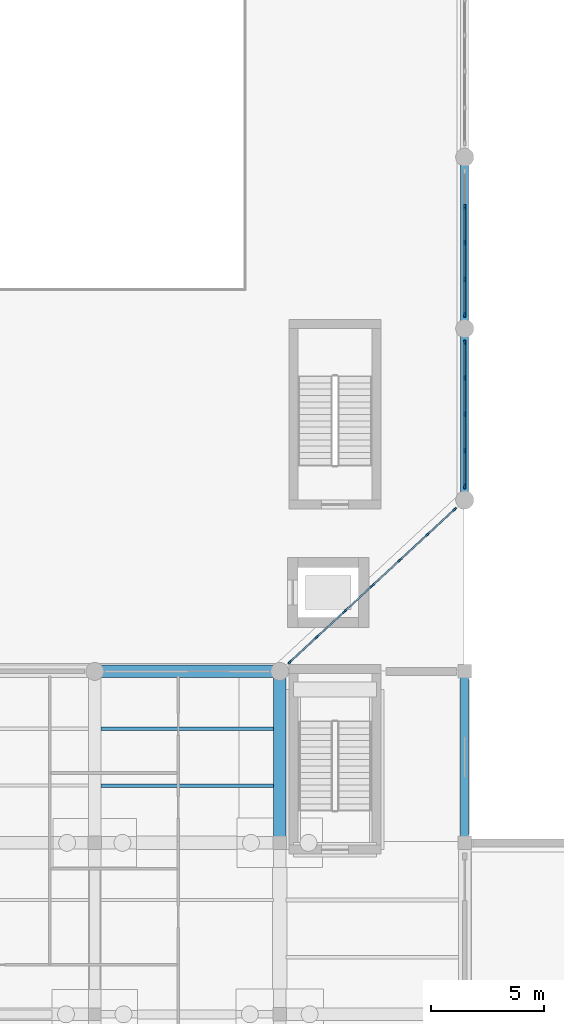
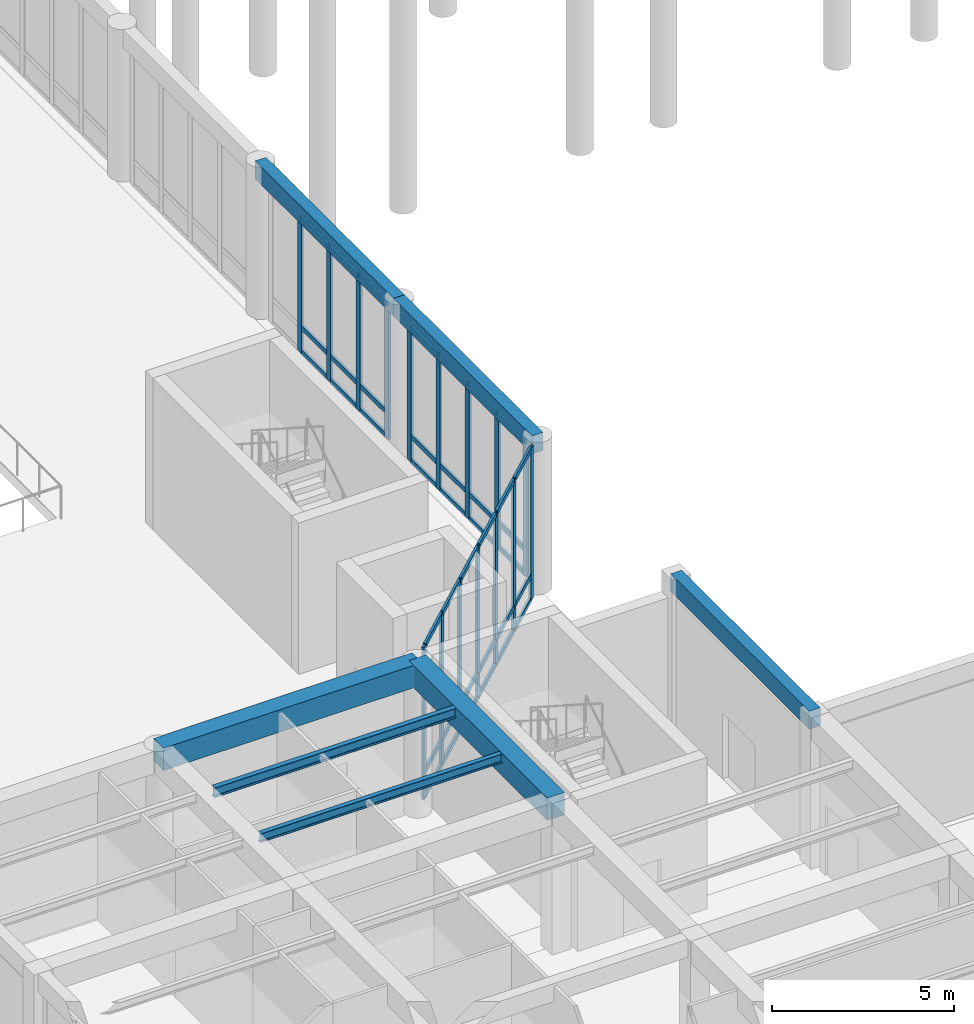
# One storey, part 16 of 64: 55 members, 7 beams, 3 elements without a shape of their own.
"""IFC4 building model written with IfcOpenShell, lengths in metres."""

from ifc_helpers import new_model, si_unit, direction, frame, origin, origin_2d, place, context, subcontext, project, spatial, rectangle, i_section, extrude, material, material_profile, profile_set, type_object, element, aggregate, save


model = new_model("IFC4")

# Units and contexts
model_context = context("Model", 3, precision=1e-05, world=origin(), true_north=direction((0.0, 1.0)))
body_context = subcontext(model_context, "Body", "Model", "MODEL_VIEW")
ifc_project = project(units=[si_unit("LENGTHUNIT", "METRE"), si_unit("AREAUNIT", "SQUARE_METRE"), si_unit("VOLUMEUNIT", "CUBIC_METRE"), si_unit("PLANEANGLEUNIT", "RADIAN"), si_unit("MASSUNIT", "GRAM", prefix="KILO")], contexts=[model_context])

# Site, building, storey
site_placement = place(None, origin())
site = spatial("IfcSite", under=ifc_project, at=site_placement, CompositionType="ELEMENT")
building_placement = place(site_placement, origin())
building = spatial("IfcBuilding", under=site, at=building_placement, Name="Qandaris Square Conservatory and Botanical Centre", CompositionType="ELEMENT")
storey_placement = place(building_placement, origin())
storey = spatial("IfcBuildingStorey", under=building, at=storey_placement, Name="L00", CompositionType="ELEMENT", Elevation=0.0)

# Beams
ifc_material_1 = material(Name="Steel S355", Category="steel")
ifc_material_profile_1 = material_profile(ifc_material_1, i_section(OverallWidth=0.14990234375, OverallDepth=0.300048828125, WebThickness=0.007080078125, FlangeThickness=0.0107421875, FilletRadius=0.014892578125, at=origin_2d()), Name="IPE 300")
ifc_profile_set_1 = profile_set([ifc_material_profile_1], Name="Steel S355")
beam_type_1 = type_object("IfcBeamType", Name="Composite Lab Joist IPE 300", PredefinedType="JOIST", material=ifc_profile_set_1)
beam_1_placement = place(storey_placement, frame((41.074951171875, 41.933349609375, 4.93994140625), z_axis=(1.0, 0.0, 0.0), x_axis=(0.0, 1.0, 0.0)))
element("IfcBeam", 1, at=beam_1_placement, inside=storey, type_object=beam_type_1, Name="L00 Composite Joist 0709", PredefinedType="JOIST", context=body_context, shape_type="SweptSolid", body=[
    extrude(i_section(OverallWidth=0.14990234375, OverallDepth=0.300048828125, WebThickness=0.007080078125, FlangeThickness=0.0107421875, FilletRadius=0.014892578125, at=origin_2d()), origin(), (0.0, 0.0, 1.0), 7.650146484375),
])
ifc_material_profile_2 = material_profile(ifc_material_1, i_section(OverallWidth=0.159912109375, OverallDepth=0.330078125, WebThickness=0.007568359375, FlangeThickness=0.011474609375, FilletRadius=0.01806640625, at=origin_2d()), Name="IPE 330")
ifc_profile_set_2 = profile_set([ifc_material_profile_2], Name="Steel S355")
beam_type_2 = type_object("IfcBeamType", Name="Composite Lab Joist IPE 330", PredefinedType="JOIST", material=ifc_profile_set_2)
beam_2_placement = place(storey_placement, frame((41.074951171875, 44.466796875, 4.925048828125), z_axis=(1.0, 0.0, 0.0), x_axis=(0.0, 1.0, 0.0)))
element("IfcBeam", 2, at=beam_2_placement, inside=storey, type_object=beam_type_2, Name="L00 Composite Joist 0710", PredefinedType="JOIST", context=body_context, shape_type="SweptSolid", body=[
    extrude(i_section(OverallWidth=0.159912109375, OverallDepth=0.330078125, WebThickness=0.007568359375, FlangeThickness=0.011474609375, FilletRadius=0.01806640625, at=origin_2d()), origin(), (0.0, 0.0, 1.0), 7.650146484375),
])

# Curtain wall, members
ifc_material_2 = material(Name="Anodised Aluminium", Category="aluminium")
curtain_wall_type_1 = type_object("IfcCurtainWallType", Name="Unitised Curtain Wall CW-1-1002x510", PredefinedType="USERDEFINED", material=ifc_material_2)
curtain_wall_1_placement = place(storey_placement, origin())
curtain_wall_1 = element("IfcCurtainWall", 3, at=curtain_wall_1_placement, inside=storey, type_object=curtain_wall_type_1, Name="Curtain Wall CW-CON-L00-2-1", ObjectType="GLAZED CURTAIN WALL", PredefinedType="USERDEFINED")
ifc_material_profile_3 = material_profile(ifc_material_2, rectangle(XDim=0.074951171875, YDim=0.219970703125, at=origin_2d()), Name="ALU-MUL 75x220")
ifc_profile_set_3 = profile_set([ifc_material_profile_3], Name="Anodised Aluminium")
member_type_1 = type_object("IfcMemberType", Name="Conservatory Heavy Mullion 75x220", PredefinedType="MULLION", material=ifc_profile_set_3)
member_1_placement = place(storey_placement, frame((49.452880859375, 47.419677734375, 0.0), z_axis=(0.0, 0.0, 1.0), x_axis=(-0.679761784592, 0.733432966404, 0.0)))
member_1 = element("IfcMember", 4, at=member_1_placement, type_object=member_type_1, Name="CW-1-1002x510 mullion 1", PredefinedType="MULLION", context=body_context, shape_type="SweptSolid", body=[
    extrude(rectangle(XDim=0.074951171875, YDim=0.219970703125, at=origin_2d()), origin(), (0.0, 0.0, 1.0), 5.10009765625),
])
member_2_placement = place(storey_placement, frame((50.650146484375, 48.529541015625, 0.0), z_axis=(0.0, 0.0, 1.0), x_axis=(-0.679761784592, 0.733432966404, 0.0)))
member_2 = element("IfcMember", 5, at=member_2_placement, type_object=member_type_1, Name="CW-1-1002x510 mullion 2", PredefinedType="MULLION", context=body_context, shape_type="SweptSolid", body=[
    extrude(rectangle(XDim=0.074951171875, YDim=0.219970703125, at=origin_2d()), origin(), (0.0, 0.0, 1.0), 5.10009765625),
])
member_3_placement = place(storey_placement, frame((51.875244140625, 49.664794921875, 0.0), z_axis=(0.0, 0.0, 1.0), x_axis=(-0.679761784592, 0.733432966404, 0.0)))
member_3 = element("IfcMember", 6, at=member_3_placement, type_object=member_type_1, Name="CW-1-1002x510 mullion 3", PredefinedType="MULLION", context=body_context, shape_type="SweptSolid", body=[
    extrude(rectangle(XDim=0.074951171875, YDim=0.219970703125, at=origin_2d()), origin(), (0.0, 0.0, 1.0), 5.10009765625),
])
member_4_placement = place(storey_placement, frame((53.10009765625, 50.800048828125, 0.0), z_axis=(0.0, 0.0, 1.0), x_axis=(-0.679761784592, 0.733432966404, 0.0)))
member_4 = element("IfcMember", 7, at=member_4_placement, type_object=member_type_1, Name="CW-1-1002x510 mullion 4", PredefinedType="MULLION", context=body_context, shape_type="SweptSolid", body=[
    extrude(rectangle(XDim=0.074951171875, YDim=0.219970703125, at=origin_2d()), origin(), (0.0, 0.0, 1.0), 5.10009765625),
])
member_5_placement = place(storey_placement, frame((54.324951171875, 51.935302734375, 0.0), z_axis=(0.0, 0.0, 1.0), x_axis=(-0.679761784592, 0.733432966404, 0.0)))
member_5 = element("IfcMember", 8, at=member_5_placement, type_object=member_type_1, Name="CW-1-1002x510 mullion 5", PredefinedType="MULLION", context=body_context, shape_type="SweptSolid", body=[
    extrude(rectangle(XDim=0.074951171875, YDim=0.219970703125, at=origin_2d()), origin(), (0.0, 0.0, 1.0), 5.10009765625),
])
member_6_placement = place(storey_placement, frame((55.5498046875, 53.070556640625, 0.0), z_axis=(0.0, 0.0, 1.0), x_axis=(-0.679761784592, 0.733432966404, 0.0)))
member_6 = element("IfcMember", 9, at=member_6_placement, type_object=member_type_1, Name="CW-1-1002x510 mullion 6", PredefinedType="MULLION", context=body_context, shape_type="SweptSolid", body=[
    extrude(rectangle(XDim=0.074951171875, YDim=0.219970703125, at=origin_2d()), origin(), (0.0, 0.0, 1.0), 5.10009765625),
])
member_7_placement = place(storey_placement, frame((56.7470703125, 54.18017578125, 0.0), z_axis=(0.0, 0.0, 1.0), x_axis=(-0.679761784592, 0.733432966404, 0.0)))
member_7 = element("IfcMember", 10, at=member_7_placement, type_object=member_type_1, Name="CW-1-1002x510 mullion 7", PredefinedType="MULLION", context=body_context, shape_type="SweptSolid", body=[
    extrude(rectangle(XDim=0.074951171875, YDim=0.219970703125, at=origin_2d()), origin(), (0.0, 0.0, 1.0), 5.10009765625),
])

curtain_wall_type_2 = type_object("IfcCurtainWallType", Name="Unitised Curtain Wall CW-1-644x450", PredefinedType="USERDEFINED", material=ifc_material_2)
curtain_wall_2_placement = place(storey_placement, origin())
curtain_wall_2 = element("IfcCurtainWall", 11, at=curtain_wall_2_placement, inside=storey, type_object=curtain_wall_type_2, Name="Curtain Wall CW-CON-L00-3-1", ObjectType="GLAZED CURTAIN WALL", PredefinedType="USERDEFINED")
member_8_placement = place(storey_placement, frame((57.199951171875, 55.217529296875, 0.0), z_axis=(0.0, 0.0, 1.0), x_axis=(-1.0, 0.0, 0.0)))
member_8 = element("IfcMember", 12, at=member_8_placement, type_object=member_type_1, Name="CW-1-644x450 mullion 1", PredefinedType="MULLION", context=body_context, shape_type="SweptSolid", body=[
    extrude(rectangle(XDim=0.074951171875, YDim=0.219970703125, at=origin_2d()), origin(), (0.0, 0.0, 1.0), 4.5),
])
member_9_placement = place(storey_placement, frame((57.199951171875, 56.7900390625, 0.0), z_axis=(0.0, 0.0, 1.0), x_axis=(-1.0, 0.0, 0.0)))
member_9 = element("IfcMember", 13, at=member_9_placement, type_object=member_type_1, Name="CW-1-644x450 mullion 2", PredefinedType="MULLION", context=body_context, shape_type="SweptSolid", body=[
    extrude(rectangle(XDim=0.074951171875, YDim=0.219970703125, at=origin_2d()), origin(), (0.0, 0.0, 1.0), 4.5),
])
member_10_placement = place(storey_placement, frame((57.199951171875, 58.39990234375, 0.0), z_axis=(0.0, 0.0, 1.0), x_axis=(-1.0, 0.0, 0.0)))
member_10 = element("IfcMember", 14, at=member_10_placement, type_object=member_type_1, Name="CW-1-644x450 mullion 3", PredefinedType="MULLION", context=body_context, shape_type="SweptSolid", body=[
    extrude(rectangle(XDim=0.074951171875, YDim=0.219970703125, at=origin_2d()), origin(), (0.0, 0.0, 1.0), 4.5),
])
member_11_placement = place(storey_placement, frame((57.199951171875, 60.010009765625, 0.0), z_axis=(0.0, 0.0, 1.0), x_axis=(-1.0, 0.0, 0.0)))
member_11 = element("IfcMember", 15, at=member_11_placement, type_object=member_type_1, Name="CW-1-644x450 mullion 4", PredefinedType="MULLION", context=body_context, shape_type="SweptSolid", body=[
    extrude(rectangle(XDim=0.074951171875, YDim=0.219970703125, at=origin_2d()), origin(), (0.0, 0.0, 1.0), 4.5),
])
member_12_placement = place(storey_placement, frame((57.199951171875, 61.58251953125, 0.0), z_axis=(0.0, 0.0, 1.0), x_axis=(-1.0, 0.0, 0.0)))
member_12 = element("IfcMember", 16, at=member_12_placement, type_object=member_type_1, Name="CW-1-644x450 mullion 5", PredefinedType="MULLION", context=body_context, shape_type="SweptSolid", body=[
    extrude(rectangle(XDim=0.074951171875, YDim=0.219970703125, at=origin_2d()), origin(), (0.0, 0.0, 1.0), 4.5),
])

curtain_wall_3_placement = place(storey_placement, origin())
curtain_wall_3 = element("IfcCurtainWall", 17, at=curtain_wall_3_placement, inside=storey, type_object=curtain_wall_type_2, Name="Curtain Wall CW-CON-L00-3-2", ObjectType="GLAZED CURTAIN WALL", PredefinedType="USERDEFINED")
member_13_placement = place(storey_placement, frame((57.199951171875, 62.8173828125, 0.0), z_axis=(0.0, 0.0, 1.0), x_axis=(-1.0, 0.0, 0.0)))
member_13 = element("IfcMember", 18, at=member_13_placement, type_object=member_type_1, Name="CW-1-644x450 mullion 1", PredefinedType="MULLION", context=body_context, shape_type="SweptSolid", body=[
    extrude(rectangle(XDim=0.074951171875, YDim=0.219970703125, at=origin_2d()), origin(), (0.0, 0.0, 1.0), 4.5),
])
member_14_placement = place(storey_placement, frame((57.199951171875, 64.389892578125, 0.0), z_axis=(0.0, 0.0, 1.0), x_axis=(-1.0, 0.0, 0.0)))
member_14 = element("IfcMember", 19, at=member_14_placement, type_object=member_type_1, Name="CW-1-644x450 mullion 2", PredefinedType="MULLION", context=body_context, shape_type="SweptSolid", body=[
    extrude(rectangle(XDim=0.074951171875, YDim=0.219970703125, at=origin_2d()), origin(), (0.0, 0.0, 1.0), 4.5),
])
member_15_placement = place(storey_placement, frame((57.199951171875, 66.0, 0.0), z_axis=(0.0, 0.0, 1.0), x_axis=(-1.0, 0.0, 0.0)))
member_15 = element("IfcMember", 20, at=member_15_placement, type_object=member_type_1, Name="CW-1-644x450 mullion 3", PredefinedType="MULLION", context=body_context, shape_type="SweptSolid", body=[
    extrude(rectangle(XDim=0.074951171875, YDim=0.219970703125, at=origin_2d()), origin(), (0.0, 0.0, 1.0), 4.5),
])
member_16_placement = place(storey_placement, frame((57.199951171875, 67.610107421875, 0.0), z_axis=(0.0, 0.0, 1.0), x_axis=(-1.0, 0.0, 0.0)))
member_16 = element("IfcMember", 21, at=member_16_placement, type_object=member_type_1, Name="CW-1-644x450 mullion 4", PredefinedType="MULLION", context=body_context, shape_type="SweptSolid", body=[
    extrude(rectangle(XDim=0.074951171875, YDim=0.219970703125, at=origin_2d()), origin(), (0.0, 0.0, 1.0), 4.5),
])

# Member
ifc_material_profile_4 = material_profile(ifc_material_2, rectangle(XDim=0.074951171875, YDim=0.159912109375, at=origin_2d()), Name="ALU-TRN 75x160")
ifc_profile_set_4 = profile_set([ifc_material_profile_4], Name="Anodised Aluminium")
member_type_2 = type_object("IfcMemberType", Name="Conservatory Heavy Transom 75x160", PredefinedType="USERDEFINED", material=ifc_profile_set_4)
member_17_placement = place(storey_placement, frame((49.48046875, 47.4453125, 0.03759765625), z_axis=(0.733401706001, 0.679795511632, 0.0), x_axis=(-0.679795511632, 0.733401706001, 0.0)))
member_17 = element("IfcMember", 22, at=member_17_placement, type_object=member_type_2, Name="CW-1-1002x510 transom 1.1", ObjectType="TRANSOM", PredefinedType="USERDEFINED", context=body_context, shape_type="SweptSolid", body=[
    extrude(rectangle(XDim=0.074951171875, YDim=0.159912109375, at=origin_2d()), origin(), (0.0, 0.0, 1.0), 1.5576171875),
])

member_18_placement = place(storey_placement, frame((49.48046875, 47.4453125, 0.85009765625), z_axis=(0.733401706001, 0.679795511632, 0.0), x_axis=(-0.679795511632, 0.733401706001, 0.0)))
member_18 = element("IfcMember", 23, at=member_18_placement, type_object=member_type_2, Name="CW-1-1002x510 transom 1.2", ObjectType="TRANSOM", PredefinedType="USERDEFINED", context=body_context, shape_type="SweptSolid", body=[
    extrude(rectangle(XDim=0.074951171875, YDim=0.159912109375, at=origin_2d()), origin(), (0.0, 0.0, 1.0), 1.5576171875),
])

member_19_placement = place(storey_placement, frame((49.48046875, 47.4453125, 5.0625), z_axis=(0.733401706001, 0.679795511632, 0.0), x_axis=(-0.679795511632, 0.733401706001, 0.0)))
member_19 = element("IfcMember", 24, at=member_19_placement, type_object=member_type_2, Name="CW-1-1002x510 transom 1.3", ObjectType="TRANSOM", PredefinedType="USERDEFINED", context=body_context, shape_type="SweptSolid", body=[
    extrude(rectangle(XDim=0.074951171875, YDim=0.159912109375, at=origin_2d()), origin(), (0.0, 0.0, 1.0), 1.5576171875),
])

member_20_placement = place(storey_placement, frame((50.677734375, 48.554931640625, 0.03759765625), z_axis=(0.733458213943, 0.679734542597, 0.0), x_axis=(-0.679734542597, 0.733458213943, 0.0)))
member_20 = element("IfcMember", 25, at=member_20_placement, type_object=member_type_2, Name="CW-1-1002x510 transom 2.1", ObjectType="TRANSOM", PredefinedType="USERDEFINED", context=body_context, shape_type="SweptSolid", body=[
    extrude(rectangle(XDim=0.074951171875, YDim=0.159912109375, at=origin_2d()), origin(), (0.0, 0.0, 1.0), 1.594970703125),
])

member_21_placement = place(storey_placement, frame((50.677734375, 48.554931640625, 0.85009765625), z_axis=(0.733458213943, 0.679734542597, 0.0), x_axis=(-0.679734542597, 0.733458213943, 0.0)))
member_21 = element("IfcMember", 26, at=member_21_placement, type_object=member_type_2, Name="CW-1-1002x510 transom 2.2", ObjectType="TRANSOM", PredefinedType="USERDEFINED", context=body_context, shape_type="SweptSolid", body=[
    extrude(rectangle(XDim=0.074951171875, YDim=0.159912109375, at=origin_2d()), origin(), (0.0, 0.0, 1.0), 1.594970703125),
])

member_22_placement = place(storey_placement, frame((50.677734375, 48.554931640625, 5.0625), z_axis=(0.733458213943, 0.679734542597, 0.0), x_axis=(-0.679734542597, 0.733458213943, 0.0)))
member_22 = element("IfcMember", 27, at=member_22_placement, type_object=member_type_2, Name="CW-1-1002x510 transom 2.3", ObjectType="TRANSOM", PredefinedType="USERDEFINED", context=body_context, shape_type="SweptSolid", body=[
    extrude(rectangle(XDim=0.074951171875, YDim=0.159912109375, at=origin_2d()), origin(), (0.0, 0.0, 1.0), 1.594970703125),
])

member_23_placement = place(storey_placement, frame((51.902587890625, 49.690185546875, 0.03759765625), z_axis=(0.733458213943, 0.679734542597, 0.0), x_axis=(-0.679734542597, 0.733458213943, 0.0)))
member_23 = element("IfcMember", 28, at=member_23_placement, type_object=member_type_2, Name="CW-1-1002x510 transom 3.1", ObjectType="TRANSOM", PredefinedType="USERDEFINED", context=body_context, shape_type="SweptSolid", body=[
    extrude(rectangle(XDim=0.074951171875, YDim=0.159912109375, at=origin_2d()), origin(), (0.0, 0.0, 1.0), 1.594970703125),
])

member_24_placement = place(storey_placement, frame((51.902587890625, 49.690185546875, 0.85009765625), z_axis=(0.733458213943, 0.679734542597, 0.0), x_axis=(-0.679734542597, 0.733458213943, 0.0)))
member_24 = element("IfcMember", 29, at=member_24_placement, type_object=member_type_2, Name="CW-1-1002x510 transom 3.2", ObjectType="TRANSOM", PredefinedType="USERDEFINED", context=body_context, shape_type="SweptSolid", body=[
    extrude(rectangle(XDim=0.074951171875, YDim=0.159912109375, at=origin_2d()), origin(), (0.0, 0.0, 1.0), 1.594970703125),
])

member_25_placement = place(storey_placement, frame((51.902587890625, 49.690185546875, 5.0625), z_axis=(0.733458213943, 0.679734542597, 0.0), x_axis=(-0.679734542597, 0.733458213943, 0.0)))
member_25 = element("IfcMember", 30, at=member_25_placement, type_object=member_type_2, Name="CW-1-1002x510 transom 3.3", ObjectType="TRANSOM", PredefinedType="USERDEFINED", context=body_context, shape_type="SweptSolid", body=[
    extrude(rectangle(XDim=0.074951171875, YDim=0.159912109375, at=origin_2d()), origin(), (0.0, 0.0, 1.0), 1.594970703125),
])

member_26_placement = place(storey_placement, frame((53.12744140625, 50.825439453125, 0.03759765625), z_axis=(0.733458213943, 0.679734542597, 0.0), x_axis=(-0.679734542597, 0.733458213943, 0.0)))
member_26 = element("IfcMember", 31, at=member_26_placement, type_object=member_type_2, Name="CW-1-1002x510 transom 4.1", ObjectType="TRANSOM", PredefinedType="USERDEFINED", context=body_context, shape_type="SweptSolid", body=[
    extrude(rectangle(XDim=0.074951171875, YDim=0.159912109375, at=origin_2d()), origin(), (0.0, 0.0, 1.0), 1.594970703125),
])

member_27_placement = place(storey_placement, frame((53.12744140625, 50.825439453125, 0.85009765625), z_axis=(0.733458213943, 0.679734542597, 0.0), x_axis=(-0.679734542597, 0.733458213943, 0.0)))
member_27 = element("IfcMember", 32, at=member_27_placement, type_object=member_type_2, Name="CW-1-1002x510 transom 4.2", ObjectType="TRANSOM", PredefinedType="USERDEFINED", context=body_context, shape_type="SweptSolid", body=[
    extrude(rectangle(XDim=0.074951171875, YDim=0.159912109375, at=origin_2d()), origin(), (0.0, 0.0, 1.0), 1.594970703125),
])

member_28_placement = place(storey_placement, frame((53.12744140625, 50.825439453125, 5.0625), z_axis=(0.733458213943, 0.679734542597, 0.0), x_axis=(-0.679734542597, 0.733458213943, 0.0)))
member_28 = element("IfcMember", 33, at=member_28_placement, type_object=member_type_2, Name="CW-1-1002x510 transom 4.3", ObjectType="TRANSOM", PredefinedType="USERDEFINED", context=body_context, shape_type="SweptSolid", body=[
    extrude(rectangle(XDim=0.074951171875, YDim=0.159912109375, at=origin_2d()), origin(), (0.0, 0.0, 1.0), 1.594970703125),
])

member_29_placement = place(storey_placement, frame((54.352294921875, 51.960693359375, 0.03759765625), z_axis=(0.733458213943, 0.679734542597, 0.0), x_axis=(-0.679734542597, 0.733458213943, 0.0)))
member_29 = element("IfcMember", 34, at=member_29_placement, type_object=member_type_2, Name="CW-1-1002x510 transom 5.1", ObjectType="TRANSOM", PredefinedType="USERDEFINED", context=body_context, shape_type="SweptSolid", body=[
    extrude(rectangle(XDim=0.074951171875, YDim=0.159912109375, at=origin_2d()), origin(), (0.0, 0.0, 1.0), 1.594970703125),
])

member_30_placement = place(storey_placement, frame((54.352294921875, 51.960693359375, 0.85009765625), z_axis=(0.733458213943, 0.679734542597, 0.0), x_axis=(-0.679734542597, 0.733458213943, 0.0)))
member_30 = element("IfcMember", 35, at=member_30_placement, type_object=member_type_2, Name="CW-1-1002x510 transom 5.2", ObjectType="TRANSOM", PredefinedType="USERDEFINED", context=body_context, shape_type="SweptSolid", body=[
    extrude(rectangle(XDim=0.074951171875, YDim=0.159912109375, at=origin_2d()), origin(), (0.0, 0.0, 1.0), 1.594970703125),
])

member_31_placement = place(storey_placement, frame((54.352294921875, 51.960693359375, 5.0625), z_axis=(0.733458213943, 0.679734542597, 0.0), x_axis=(-0.679734542597, 0.733458213943, 0.0)))
member_31 = element("IfcMember", 36, at=member_31_placement, type_object=member_type_2, Name="CW-1-1002x510 transom 5.3", ObjectType="TRANSOM", PredefinedType="USERDEFINED", context=body_context, shape_type="SweptSolid", body=[
    extrude(rectangle(XDim=0.074951171875, YDim=0.159912109375, at=origin_2d()), origin(), (0.0, 0.0, 1.0), 1.594970703125),
])

member_32_placement = place(storey_placement, frame((55.5771484375, 53.095947265625, 0.03759765625), z_axis=(0.733401706001, 0.679795511632, 0.0), x_axis=(-0.679795511632, 0.733401706001, 0.0)))
member_32 = element("IfcMember", 37, at=member_32_placement, type_object=member_type_2, Name="CW-1-1002x510 transom 6.1", ObjectType="TRANSOM", PredefinedType="USERDEFINED", context=body_context, shape_type="SweptSolid", body=[
    extrude(rectangle(XDim=0.074951171875, YDim=0.159912109375, at=origin_2d()), origin(), (0.0, 0.0, 1.0), 1.5576171875),
])

member_33_placement = place(storey_placement, frame((55.5771484375, 53.095947265625, 0.85009765625), z_axis=(0.733401706001, 0.679795511632, 0.0), x_axis=(-0.679795511632, 0.733401706001, 0.0)))
member_33 = element("IfcMember", 38, at=member_33_placement, type_object=member_type_2, Name="CW-1-1002x510 transom 6.2", ObjectType="TRANSOM", PredefinedType="USERDEFINED", context=body_context, shape_type="SweptSolid", body=[
    extrude(rectangle(XDim=0.074951171875, YDim=0.159912109375, at=origin_2d()), origin(), (0.0, 0.0, 1.0), 1.5576171875),
])

member_34_placement = place(storey_placement, frame((55.5771484375, 53.095947265625, 5.0625), z_axis=(0.733401706001, 0.679795511632, 0.0), x_axis=(-0.679795511632, 0.733401706001, 0.0)))
member_34 = element("IfcMember", 39, at=member_34_placement, type_object=member_type_2, Name="CW-1-1002x510 transom 6.3", ObjectType="TRANSOM", PredefinedType="USERDEFINED", context=body_context, shape_type="SweptSolid", body=[
    extrude(rectangle(XDim=0.074951171875, YDim=0.159912109375, at=origin_2d()), origin(), (0.0, 0.0, 1.0), 1.5576171875),
])

aggregate(curtain_wall_1, [member_1, member_2, member_3, member_4, member_5, member_6, member_7, member_17, member_18, member_19, member_20, member_21, member_22, member_23, member_24, member_25, member_26, member_27, member_28, member_29, member_30, member_31, member_32, member_33, member_34])

member_35_placement = place(storey_placement, frame((57.199951171875, 55.2548828125, 0.03759765625), z_axis=(0.0, 1.0, 0.0), x_axis=(-1.0, 0.0, 0.0)))
member_35 = element("IfcMember", 40, at=member_35_placement, type_object=member_type_2, Name="CW-1-644x450 transom 1.1", ObjectType="TRANSOM", PredefinedType="USERDEFINED", context=body_context, shape_type="SweptSolid", body=[
    extrude(rectangle(XDim=0.074951171875, YDim=0.159912109375, at=origin_2d()), origin(), (0.0, 0.0, 1.0), 1.49755859375),
])

member_36_placement = place(storey_placement, frame((57.199951171875, 55.2548828125, 0.85009765625), z_axis=(0.0, 1.0, 0.0), x_axis=(-1.0, 0.0, 0.0)))
member_36 = element("IfcMember", 41, at=member_36_placement, type_object=member_type_2, Name="CW-1-644x450 transom 1.2", ObjectType="TRANSOM", PredefinedType="USERDEFINED", context=body_context, shape_type="SweptSolid", body=[
    extrude(rectangle(XDim=0.074951171875, YDim=0.159912109375, at=origin_2d()), origin(), (0.0, 0.0, 1.0), 1.49755859375),
])

member_37_placement = place(storey_placement, frame((57.199951171875, 55.2548828125, 4.46240234375), z_axis=(0.0, 1.0, 0.0), x_axis=(-1.0, 0.0, 0.0)))
member_37 = element("IfcMember", 42, at=member_37_placement, type_object=member_type_2, Name="CW-1-644x450 transom 1.3", ObjectType="TRANSOM", PredefinedType="USERDEFINED", context=body_context, shape_type="SweptSolid", body=[
    extrude(rectangle(XDim=0.074951171875, YDim=0.159912109375, at=origin_2d()), origin(), (0.0, 0.0, 1.0), 1.49755859375),
])

member_38_placement = place(storey_placement, frame((57.199951171875, 56.827392578125, 0.03759765625), z_axis=(0.0, 1.0, 0.0), x_axis=(-1.0, 0.0, 0.0)))
member_38 = element("IfcMember", 43, at=member_38_placement, type_object=member_type_2, Name="CW-1-644x450 transom 2.1", ObjectType="TRANSOM", PredefinedType="USERDEFINED", context=body_context, shape_type="SweptSolid", body=[
    extrude(rectangle(XDim=0.074951171875, YDim=0.159912109375, at=origin_2d()), origin(), (0.0, 0.0, 1.0), 1.53515625),
])

member_39_placement = place(storey_placement, frame((57.199951171875, 56.827392578125, 0.85009765625), z_axis=(0.0, 1.0, 0.0), x_axis=(-1.0, 0.0, 0.0)))
member_39 = element("IfcMember", 44, at=member_39_placement, type_object=member_type_2, Name="CW-1-644x450 transom 2.2", ObjectType="TRANSOM", PredefinedType="USERDEFINED", context=body_context, shape_type="SweptSolid", body=[
    extrude(rectangle(XDim=0.074951171875, YDim=0.159912109375, at=origin_2d()), origin(), (0.0, 0.0, 1.0), 1.53515625),
])

member_40_placement = place(storey_placement, frame((57.199951171875, 56.827392578125, 4.46240234375), z_axis=(0.0, 1.0, 0.0), x_axis=(-1.0, 0.0, 0.0)))
member_40 = element("IfcMember", 45, at=member_40_placement, type_object=member_type_2, Name="CW-1-644x450 transom 2.3", ObjectType="TRANSOM", PredefinedType="USERDEFINED", context=body_context, shape_type="SweptSolid", body=[
    extrude(rectangle(XDim=0.074951171875, YDim=0.159912109375, at=origin_2d()), origin(), (0.0, 0.0, 1.0), 1.53515625),
])

member_41_placement = place(storey_placement, frame((57.199951171875, 58.4375, 0.03759765625), z_axis=(0.0, 1.0, 0.0), x_axis=(-1.0, 0.0, 0.0)))
member_41 = element("IfcMember", 46, at=member_41_placement, type_object=member_type_2, Name="CW-1-644x450 transom 3.1", ObjectType="TRANSOM", PredefinedType="USERDEFINED", context=body_context, shape_type="SweptSolid", body=[
    extrude(rectangle(XDim=0.074951171875, YDim=0.159912109375, at=origin_2d()), origin(), (0.0, 0.0, 1.0), 1.534912109375),
])

member_42_placement = place(storey_placement, frame((57.199951171875, 58.4375, 0.85009765625), z_axis=(0.0, 1.0, 0.0), x_axis=(-1.0, 0.0, 0.0)))
member_42 = element("IfcMember", 47, at=member_42_placement, type_object=member_type_2, Name="CW-1-644x450 transom 3.2", ObjectType="TRANSOM", PredefinedType="USERDEFINED", context=body_context, shape_type="SweptSolid", body=[
    extrude(rectangle(XDim=0.074951171875, YDim=0.159912109375, at=origin_2d()), origin(), (0.0, 0.0, 1.0), 1.534912109375),
])

member_43_placement = place(storey_placement, frame((57.199951171875, 58.4375, 4.46240234375), z_axis=(0.0, 1.0, 0.0), x_axis=(-1.0, 0.0, 0.0)))
member_43 = element("IfcMember", 48, at=member_43_placement, type_object=member_type_2, Name="CW-1-644x450 transom 3.3", ObjectType="TRANSOM", PredefinedType="USERDEFINED", context=body_context, shape_type="SweptSolid", body=[
    extrude(rectangle(XDim=0.074951171875, YDim=0.159912109375, at=origin_2d()), origin(), (0.0, 0.0, 1.0), 1.534912109375),
])

member_44_placement = place(storey_placement, frame((57.199951171875, 60.047607421875, 0.03759765625), z_axis=(0.0, 1.0, 0.0), x_axis=(-1.0, 0.0, 0.0)))
member_44 = element("IfcMember", 49, at=member_44_placement, type_object=member_type_2, Name="CW-1-644x450 transom 4.1", ObjectType="TRANSOM", PredefinedType="USERDEFINED", context=body_context, shape_type="SweptSolid", body=[
    extrude(rectangle(XDim=0.074951171875, YDim=0.159912109375, at=origin_2d()), origin(), (0.0, 0.0, 1.0), 1.497314453125),
])

member_45_placement = place(storey_placement, frame((57.199951171875, 60.047607421875, 0.85009765625), z_axis=(0.0, 1.0, 0.0), x_axis=(-1.0, 0.0, 0.0)))
member_45 = element("IfcMember", 50, at=member_45_placement, type_object=member_type_2, Name="CW-1-644x450 transom 4.2", ObjectType="TRANSOM", PredefinedType="USERDEFINED", context=body_context, shape_type="SweptSolid", body=[
    extrude(rectangle(XDim=0.074951171875, YDim=0.159912109375, at=origin_2d()), origin(), (0.0, 0.0, 1.0), 1.497314453125),
])

member_46_placement = place(storey_placement, frame((57.199951171875, 60.047607421875, 4.46240234375), z_axis=(0.0, 1.0, 0.0), x_axis=(-1.0, 0.0, 0.0)))
member_46 = element("IfcMember", 51, at=member_46_placement, type_object=member_type_2, Name="CW-1-644x450 transom 4.3", ObjectType="TRANSOM", PredefinedType="USERDEFINED", context=body_context, shape_type="SweptSolid", body=[
    extrude(rectangle(XDim=0.074951171875, YDim=0.159912109375, at=origin_2d()), origin(), (0.0, 0.0, 1.0), 1.497314453125),
])

aggregate(curtain_wall_2, [member_8, member_9, member_10, member_11, member_12, member_35, member_36, member_37, member_38, member_39, member_40, member_41, member_42, member_43, member_44, member_45, member_46])

member_47_placement = place(storey_placement, frame((57.199951171875, 62.85498046875, 0.03759765625), z_axis=(0.0, 1.0, 0.0), x_axis=(-1.0, 0.0, 0.0)))
member_47 = element("IfcMember", 52, at=member_47_placement, type_object=member_type_2, Name="CW-1-644x450 transom 1.1", ObjectType="TRANSOM", PredefinedType="USERDEFINED", context=body_context, shape_type="SweptSolid", body=[
    extrude(rectangle(XDim=0.074951171875, YDim=0.159912109375, at=origin_2d()), origin(), (0.0, 0.0, 1.0), 1.49755859375),
])

member_48_placement = place(storey_placement, frame((57.199951171875, 62.85498046875, 0.85009765625), z_axis=(0.0, 1.0, 0.0), x_axis=(-1.0, 0.0, 0.0)))
member_48 = element("IfcMember", 53, at=member_48_placement, type_object=member_type_2, Name="CW-1-644x450 transom 1.2", ObjectType="TRANSOM", PredefinedType="USERDEFINED", context=body_context, shape_type="SweptSolid", body=[
    extrude(rectangle(XDim=0.074951171875, YDim=0.159912109375, at=origin_2d()), origin(), (0.0, 0.0, 1.0), 1.49755859375),
])

member_49_placement = place(storey_placement, frame((57.199951171875, 62.85498046875, 4.46240234375), z_axis=(0.0, 1.0, 0.0), x_axis=(-1.0, 0.0, 0.0)))
member_49 = element("IfcMember", 54, at=member_49_placement, type_object=member_type_2, Name="CW-1-644x450 transom 1.3", ObjectType="TRANSOM", PredefinedType="USERDEFINED", context=body_context, shape_type="SweptSolid", body=[
    extrude(rectangle(XDim=0.074951171875, YDim=0.159912109375, at=origin_2d()), origin(), (0.0, 0.0, 1.0), 1.49755859375),
])

member_50_placement = place(storey_placement, frame((57.199951171875, 64.427490234375, 0.03759765625), z_axis=(0.0, 1.0, 0.0), x_axis=(-1.0, 0.0, 0.0)))
member_50 = element("IfcMember", 55, at=member_50_placement, type_object=member_type_2, Name="CW-1-644x450 transom 2.1", ObjectType="TRANSOM", PredefinedType="USERDEFINED", context=body_context, shape_type="SweptSolid", body=[
    extrude(rectangle(XDim=0.074951171875, YDim=0.159912109375, at=origin_2d()), origin(), (0.0, 0.0, 1.0), 1.534912109375),
])

member_51_placement = place(storey_placement, frame((57.199951171875, 64.427490234375, 0.85009765625), z_axis=(0.0, 1.0, 0.0), x_axis=(-1.0, 0.0, 0.0)))
member_51 = element("IfcMember", 56, at=member_51_placement, type_object=member_type_2, Name="CW-1-644x450 transom 2.2", ObjectType="TRANSOM", PredefinedType="USERDEFINED", context=body_context, shape_type="SweptSolid", body=[
    extrude(rectangle(XDim=0.074951171875, YDim=0.159912109375, at=origin_2d()), origin(), (0.0, 0.0, 1.0), 1.534912109375),
])

member_52_placement = place(storey_placement, frame((57.199951171875, 64.427490234375, 4.46240234375), z_axis=(0.0, 1.0, 0.0), x_axis=(-1.0, 0.0, 0.0)))
member_52 = element("IfcMember", 57, at=member_52_placement, type_object=member_type_2, Name="CW-1-644x450 transom 2.3", ObjectType="TRANSOM", PredefinedType="USERDEFINED", context=body_context, shape_type="SweptSolid", body=[
    extrude(rectangle(XDim=0.074951171875, YDim=0.159912109375, at=origin_2d()), origin(), (0.0, 0.0, 1.0), 1.534912109375),
])

member_53_placement = place(storey_placement, frame((57.199951171875, 66.03759765625, 0.03759765625), z_axis=(0.0, 1.0, 0.0), x_axis=(-1.0, 0.0, 0.0)))
member_53 = element("IfcMember", 58, at=member_53_placement, type_object=member_type_2, Name="CW-1-644x450 transom 3.1", ObjectType="TRANSOM", PredefinedType="USERDEFINED", context=body_context, shape_type="SweptSolid", body=[
    extrude(rectangle(XDim=0.074951171875, YDim=0.159912109375, at=origin_2d()), origin(), (0.0, 0.0, 1.0), 1.534912109375),
])

member_54_placement = place(storey_placement, frame((57.199951171875, 66.03759765625, 0.85009765625), z_axis=(0.0, 1.0, 0.0), x_axis=(-1.0, 0.0, 0.0)))
member_54 = element("IfcMember", 59, at=member_54_placement, type_object=member_type_2, Name="CW-1-644x450 transom 3.2", ObjectType="TRANSOM", PredefinedType="USERDEFINED", context=body_context, shape_type="SweptSolid", body=[
    extrude(rectangle(XDim=0.074951171875, YDim=0.159912109375, at=origin_2d()), origin(), (0.0, 0.0, 1.0), 1.534912109375),
])

member_55_placement = place(storey_placement, frame((57.199951171875, 66.03759765625, 4.46240234375), z_axis=(0.0, 1.0, 0.0), x_axis=(-1.0, 0.0, 0.0)))
member_55 = element("IfcMember", 60, at=member_55_placement, type_object=member_type_2, Name="CW-1-644x450 transom 3.3", ObjectType="TRANSOM", PredefinedType="USERDEFINED", context=body_context, shape_type="SweptSolid", body=[
    extrude(rectangle(XDim=0.074951171875, YDim=0.159912109375, at=origin_2d()), origin(), (0.0, 0.0, 1.0), 1.534912109375),
])

aggregate(curtain_wall_3, [member_13, member_14, member_15, member_16, member_47, member_48, member_49, member_50, member_51, member_52, member_53, member_54, member_55])

# Beams
ifc_material_3 = material(Name="Concrete C50/60", Category="concrete")
ifc_material_profile_5 = material_profile(ifc_material_3, rectangle(XDim=0.35009765625, YDim=0.60009765625, at=origin_2d()), Name="RC-SP 350x600")
ifc_profile_set_5 = profile_set([ifc_material_profile_5], Name="Concrete C50/60")
beam_type_3 = type_object("IfcBeamType", Name="RC Edge Spandrel Beam 350x600", PredefinedType="SPANDREL", material=ifc_profile_set_5)
beam_3_placement = place(storey_placement, frame((57.199951171875, 39.39990234375, 4.800048828125), z_axis=(0.0, 1.0, 0.0), x_axis=(-1.0, 0.0, 0.0)))
element("IfcBeam", 61, at=beam_3_placement, inside=storey, type_object=beam_type_3, Name="L00 Frame Beam 0550", PredefinedType="SPANDREL", context=body_context, shape_type="SweptSolid", body=[
    extrude(rectangle(XDim=0.35009765625, YDim=0.60009765625, at=origin_2d()), origin(), (0.0, 0.0, 1.0), 7.60009765625),
])
beam_4_placement = place(storey_placement, frame((57.199951171875, 54.60009765625, 4.800048828125), z_axis=(0.0, 1.0, 0.0), x_axis=(-1.0, 0.0, 0.0)))
element("IfcBeam", 62, at=beam_4_placement, inside=storey, type_object=beam_type_3, Name="L00 Frame Beam 0551", PredefinedType="SPANDREL", context=body_context, shape_type="SweptSolid", body=[
    extrude(rectangle(XDim=0.35009765625, YDim=0.60009765625, at=origin_2d()), origin(), (0.0, 0.0, 1.0), 7.599853515625),
])
beam_5_placement = place(storey_placement, frame((57.199951171875, 62.199951171875, 4.800048828125), z_axis=(0.0, 1.0, 0.0), x_axis=(-1.0, 0.0, 0.0)))
element("IfcBeam", 63, at=beam_5_placement, inside=storey, type_object=beam_type_3, Name="L00 Frame Beam 0552", PredefinedType="SPANDREL", context=body_context, shape_type="SweptSolid", body=[
    extrude(rectangle(XDim=0.35009765625, YDim=0.60009765625, at=origin_2d()), origin(), (0.0, 0.0, 1.0), 7.60009765625),
])
ifc_material_profile_6 = material_profile(ifc_material_3, rectangle(XDim=0.550048828125, YDim=0.75, at=origin_2d()), Name="RC-BM 550x750")
ifc_profile_set_6 = profile_set([ifc_material_profile_6], Name="Concrete C50/60")
beam_type_4 = type_object("IfcBeamType", Name="RC Plinth Girder 550x750", PredefinedType="BEAM", material=ifc_profile_set_6)
beam_6_placement = place(storey_placement, frame((40.800048828125, 47.0, 4.72509765625), z_axis=(1.0, 0.0, 0.0), x_axis=(0.0, 1.0, 0.0)))
element("IfcBeam", 64, at=beam_6_placement, inside=storey, type_object=beam_type_4, Name="L00 Frame Beam 0395", PredefinedType="BEAM", context=body_context, shape_type="SweptSolid", body=[
    extrude(rectangle(XDim=0.550048828125, YDim=0.75, at=origin_2d()), origin(), (0.0, 0.0, 1.0), 8.199951171875),
])
beam_7_placement = place(storey_placement, frame((49.0, 39.39990234375, 4.72509765625), z_axis=(0.0, 1.0, 0.0), x_axis=(-1.0, 0.0, 0.0)))
element("IfcBeam", 65, at=beam_7_placement, inside=storey, type_object=beam_type_4, Name="L00 Frame Beam 0545", PredefinedType="BEAM", context=body_context, shape_type="SweptSolid", body=[
    extrude(rectangle(XDim=0.550048828125, YDim=0.75, at=origin_2d()), origin(), (0.0, 0.0, 1.0), 7.60009765625),
])

save(model, "model.ifc")
